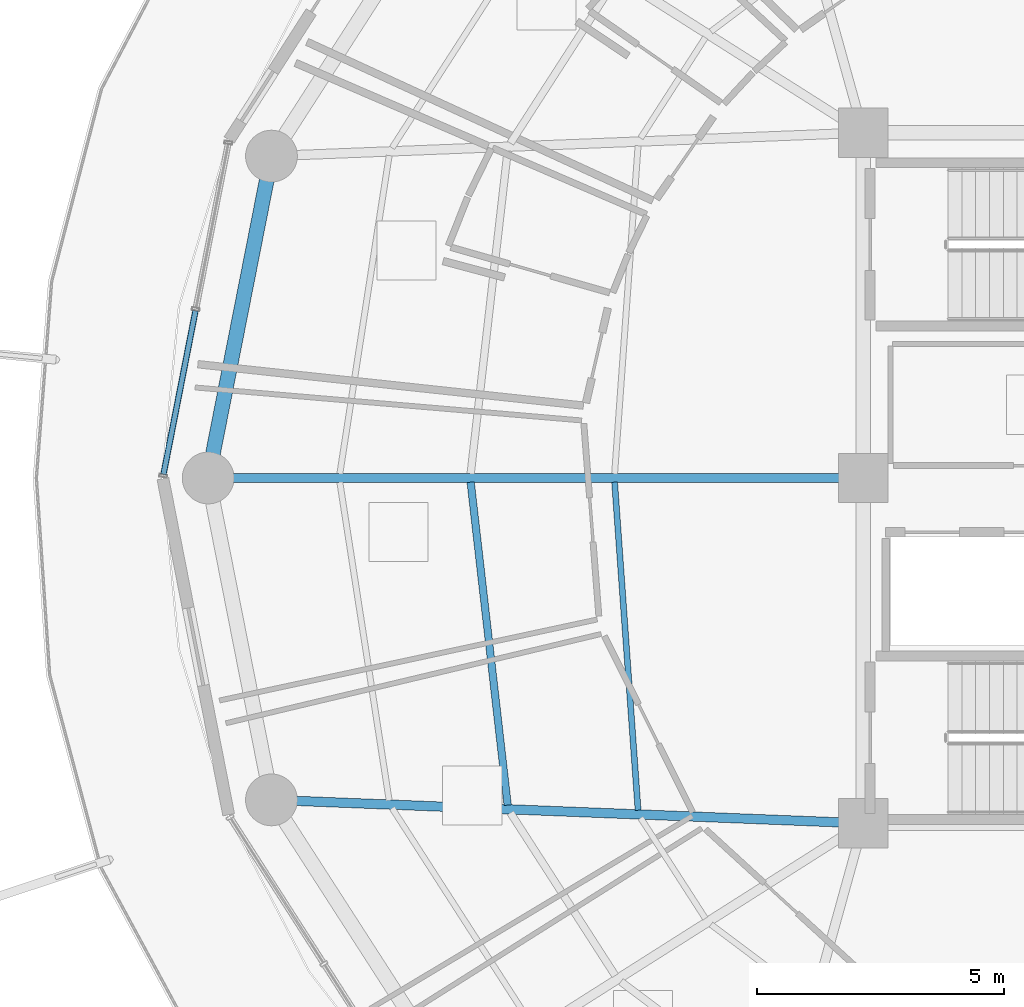
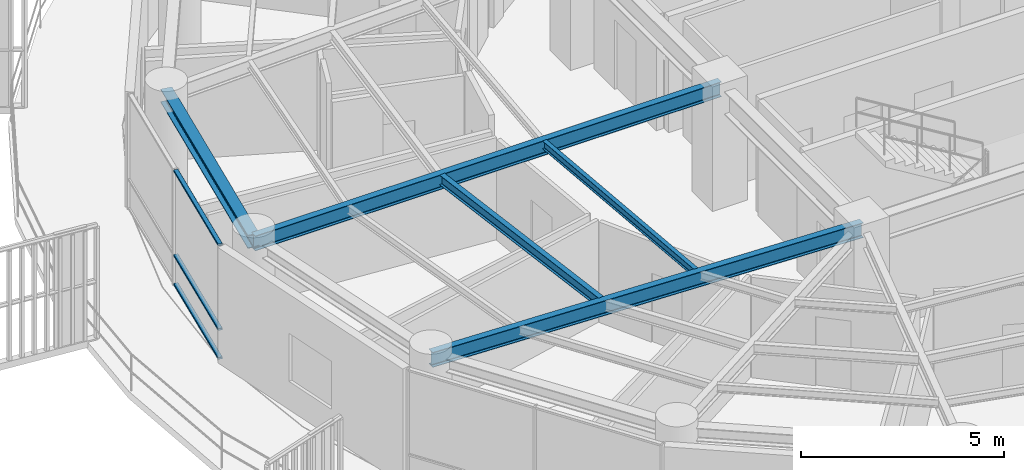
# One storey, part 7 of 31: 5 beams, 3 members, 1 element without a shape of its own.
"""IFC4 building model written with IfcOpenShell, lengths in metres."""

from ifc_helpers import new_model, si_unit, direction, frame, origin, origin_2d, place, context, subcontext, project, spatial, hollow_rectangle, i_section, extrude, material, layer, layer_set, material_profile, profile_set, type_object, element, aggregate, save


model = new_model("IFC4")

# Units and contexts
model_context = context("Model", 3, precision=1e-05, world=origin(), true_north=direction((0.0, 1.0)))
body_context = subcontext(model_context, "Body", "Model", "MODEL_VIEW")
ifc_project = project(units=[si_unit("LENGTHUNIT", "METRE"), si_unit("AREAUNIT", "SQUARE_METRE"), si_unit("VOLUMEUNIT", "CUBIC_METRE"), si_unit("PLANEANGLEUNIT", "RADIAN"), si_unit("MASSUNIT", "GRAM", prefix="KILO")], contexts=[model_context])

# Site, building, storey
site_placement = place(None, origin())
site = spatial("IfcSite", under=ifc_project, at=site_placement, CompositionType="ELEMENT")
building_placement = place(site_placement, origin())
building = spatial("IfcBuilding", under=site, at=building_placement, Name="Kelanora Arch Commons", CompositionType="ELEMENT")
storey_placement = place(building_placement, frame((0.0, 0.0, 219.449951171875)))
storey = spatial("IfcBuildingStorey", under=building, at=storey_placement, Name="L56", CompositionType="ELEMENT", Elevation=219.449951171875)

# Beams
ifc_material_1 = material(Name="Steel S355", Category="steel")
ifc_material_profile_1 = material_profile(ifc_material_1, i_section(OverallWidth=0.14990234375, OverallDepth=0.300048828125, WebThickness=0.007080078125, FlangeThickness=0.0107421875, FilletRadius=0.014892578125, at=origin_2d()), Name="IPE300")
ifc_profile_set_1 = profile_set([ifc_material_profile_1], Name="Steel S355")
beam_type_1 = type_object("IfcBeamType", Name="BM-JST-01", PredefinedType="JOIST", material=ifc_profile_set_1)
beam_1_placement = place(storey_placement, frame((58.041748046875, 57.91552734375, 3.340087890625), z_axis=(0.113891408177, -0.993493204377, 0.0), x_axis=(0.993493204377, 0.113891408177, 0.0)))
element("IfcBeam", 1, at=beam_1_placement, inside=storey, type_object=beam_type_1, Name="Secondary Chord Joist BJB-18 L56", PredefinedType="JOIST", context=body_context, shape_type="SweptSolid", body=[
    extrude(i_section(OverallWidth=0.14990234375, OverallDepth=0.300048828125, WebThickness=0.007080078125, FlangeThickness=0.0107421875, FilletRadius=0.014892578125, at=origin_2d()), origin(), (0.0, 0.0, 1.0), 6.589599609375),
])
ifc_material_profile_2 = material_profile(ifc_material_1, i_section(OverallWidth=0.1201171875, OverallDepth=0.239990234375, WebThickness=0.006103515625, FlangeThickness=0.009765625, FilletRadius=0.014892578125, at=origin_2d()), Name="IPE240")
ifc_profile_set_2 = profile_set([ifc_material_profile_2], Name="Steel S355")
beam_type_2 = type_object("IfcBeamType", Name="BM-JST-02", PredefinedType="JOIST", material=ifc_profile_set_2)
beam_2_placement = place(storey_placement, frame((60.959716796875, 57.915283203125, 3.3701171875), z_axis=(0.07133032136, -0.997452748382, 0.0), x_axis=(0.997452748382, 0.07133032136, 0.0)))
element("IfcBeam", 2, at=beam_2_placement, inside=storey, type_object=beam_type_2, Name="Secondary Chord Joist BJA-18 L56", PredefinedType="JOIST", context=body_context, shape_type="SweptSolid", body=[
    extrude(i_section(OverallWidth=0.1201171875, OverallDepth=0.239990234375, WebThickness=0.006103515625, FlangeThickness=0.009765625, FilletRadius=0.014892578125, at=origin_2d()), origin(), (0.0, 0.0, 1.0), 6.66748046875),
])
ifc_material_profile_3 = material_profile(ifc_material_1, i_section(OverallWidth=0.18994140625, OverallDepth=0.449951171875, WebThickness=0.009521484375, FlangeThickness=0.0146484375, FilletRadius=0.02099609375, at=origin_2d()), Name="IPE450")
ifc_profile_set_3 = profile_set([ifc_material_profile_3], Name="Steel S355")
beam_type_3 = type_object("IfcBeamType", Name="BM-RAD-Z4", PredefinedType="BEAM", material=ifc_profile_set_3)
beam_3_placement = place(storey_placement, frame((66.0, 58.0, 3.26513671875), z_axis=(-1.0, 0.0, 0.0), x_axis=(0.0, -1.0, 0.0)))
element("IfcBeam", 3, at=beam_3_placement, inside=storey, type_object=beam_type_3, Name="Radial Floor Girder BR-18 L56", PredefinedType="BEAM", context=body_context, shape_type="SweptSolid", body=[
    extrude(i_section(OverallWidth=0.18994140625, OverallDepth=0.449951171875, WebThickness=0.009521484375, FlangeThickness=0.0146484375, FilletRadius=0.02099609375, at=origin_2d()), origin(), (0.0, 0.0, 1.0), 13.280029296875),
])
beam_4_placement = place(storey_placement, frame((66.0, 51.0, 3.26513671875), z_axis=(-0.999219142585, 0.03951082246, 0.0), x_axis=(-0.03951082246, -0.999219142585, 0.0)))
element("IfcBeam", 4, at=beam_4_placement, inside=storey, type_object=beam_type_3, Name="Radial Floor Girder BR-20 L56", PredefinedType="BEAM", context=body_context, shape_type="SweptSolid", body=[
    extrude(i_section(OverallWidth=0.18994140625, OverallDepth=0.449951171875, WebThickness=0.009521484375, FlangeThickness=0.0146484375, FilletRadius=0.02099609375, at=origin_2d()), origin(), (0.0, 0.0, 1.0), 12.005859375),
])
ifc_material_profile_4 = material_profile(ifc_material_1, i_section(OverallWidth=0.300048828125, OverallDepth=0.39990234375, WebThickness=0.013427734375, FlangeThickness=0.02392578125, FilletRadius=0.027099609375, at=origin_2d()), Name="HEB400")
ifc_profile_set_4 = profile_set([ifc_material_profile_4], Name="Steel S355")
beam_type_4 = type_object("IfcBeamType", Name="BM-SPN-Z4", PredefinedType="SPANDREL", material=ifc_profile_set_4)
beam_5_placement = place(storey_placement, frame((54.00341796875, 64.525634765625, 3.2900390625), z_axis=(-0.192980724826, -0.981202547819, 0.0), x_axis=(0.981202547819, -0.192980724826, 0.0)))
element("IfcBeam", 5, at=beam_5_placement, inside=storey, type_object=beam_type_4, Name="Perimeter Spandrel Beam BS-16 L56", PredefinedType="SPANDREL", context=body_context, shape_type="SweptSolid", body=[
    extrude(i_section(OverallWidth=0.300048828125, OverallDepth=0.39990234375, WebThickness=0.013427734375, FlangeThickness=0.02392578125, FilletRadius=0.027099609375, at=origin_2d()), origin(), (0.0, 0.0, 1.0), 6.650634765625),
])

# Curtain wall, members
ifc_material_2 = material(Name="Terracotta ceramic-fritted low-E glass and aluminium", Category="masonry")
ifc_layer = layer(ifc_material_2, 0.175048828125)
ifc_layer_set = layer_set([ifc_layer], Name="Terracotta ceramic-fritted low-E glass and aluminium")
curtain_wall_type = type_object("IfcCurtainWallType", Name="CW-SYS-02", PredefinedType="NOTDEFINED", material=ifc_layer_set)
curtain_wall_placement = place(storey_placement, origin())
curtain_wall = element("IfcCurtainWall", 6, at=curtain_wall_placement, inside=storey, type_object=curtain_wall_type, Name="Unitised Curtain Wall L56-B08", PredefinedType="NOTDEFINED")
ifc_material_3 = material(Name="Powder-coated aluminium terracotta", Category="masonry")
ifc_material_profile_5 = material_profile(ifc_material_3, hollow_rectangle(XDim=0.1201171875, YDim=0.06005859375, WallThickness=0.0048828125, InnerFilletRadius=0.0048828125, OuterFilletRadius=0.010009765625, at=origin_2d()), Name="CWT120x60")
ifc_profile_set_5 = profile_set([ifc_material_profile_5], Name="Powder-coated aluminium terracotta")
member_type = type_object("IfcMemberType", Name="CWT-STD", PredefinedType="USERDEFINED", material=ifc_profile_set_5)
member_1_placement = place(storey_placement, frame((52.463623046875, 61.390869140625, 0.030029296875), z_axis=(-0.192044874899, -0.981386145218, 0.0), x_axis=(0.981386145218, -0.192044874899, 0.0)))
member_1 = element("IfcMember", 7, at=member_1_placement, type_object=member_type, Name="CW-02 transom 2.1", ObjectType="TRANSOM", PredefinedType="USERDEFINED", context=body_context, shape_type="SweptSolid", body=[
    extrude(hollow_rectangle(XDim=0.1201171875, YDim=0.06005859375, WallThickness=0.0048828125, InnerFilletRadius=0.0048828125, OuterFilletRadius=0.010009765625, at=origin_2d()), origin(), (0.0, 0.0, 1.0), 3.38037109375),
])
member_2_placement = place(storey_placement, frame((52.463623046875, 61.390869140625, 0.900146484375), z_axis=(-0.192044874899, -0.981386145218, 0.0), x_axis=(0.981386145218, -0.192044874899, 0.0)))
member_2 = element("IfcMember", 8, at=member_2_placement, type_object=member_type, Name="CW-02 transom 2.2", ObjectType="TRANSOM", PredefinedType="USERDEFINED", context=body_context, shape_type="SweptSolid", body=[
    extrude(hollow_rectangle(XDim=0.1201171875, YDim=0.06005859375, WallThickness=0.0048828125, InnerFilletRadius=0.0048828125, OuterFilletRadius=0.010009765625, at=origin_2d()), origin(), (0.0, 0.0, 1.0), 3.38037109375),
])
member_3_placement = place(storey_placement, frame((52.463623046875, 61.390869140625, 3.445068359375), z_axis=(-0.192044874899, -0.981386145218, 0.0), x_axis=(0.981386145218, -0.192044874899, 0.0)))
member_3 = element("IfcMember", 9, at=member_3_placement, type_object=member_type, Name="CW-02 transom 2.3", ObjectType="TRANSOM", PredefinedType="USERDEFINED", context=body_context, shape_type="SweptSolid", body=[
    extrude(hollow_rectangle(XDim=0.1201171875, YDim=0.06005859375, WallThickness=0.0048828125, InnerFilletRadius=0.0048828125, OuterFilletRadius=0.010009765625, at=origin_2d()), origin(), (0.0, 0.0, 1.0), 3.38037109375),
])
aggregate(curtain_wall, [member_1, member_2, member_3])

save(model, "model.ifc")
